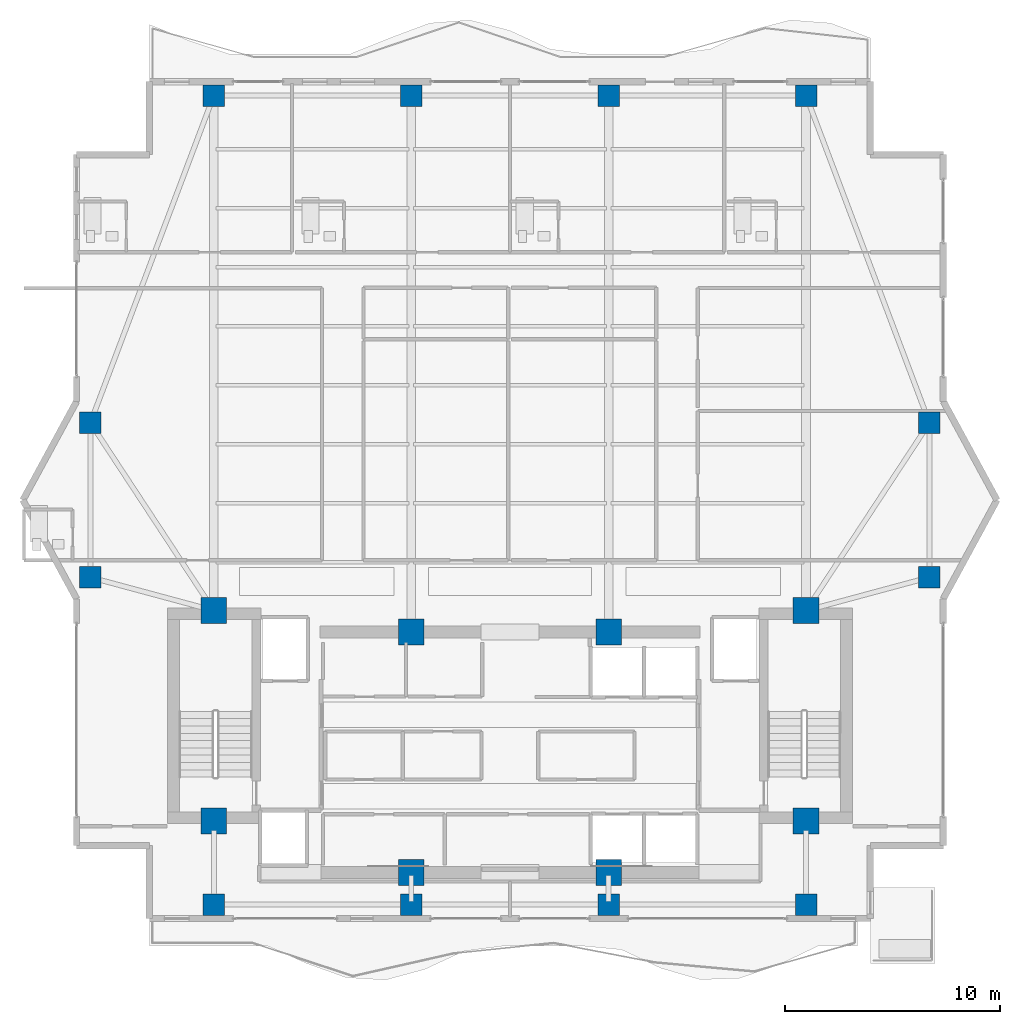
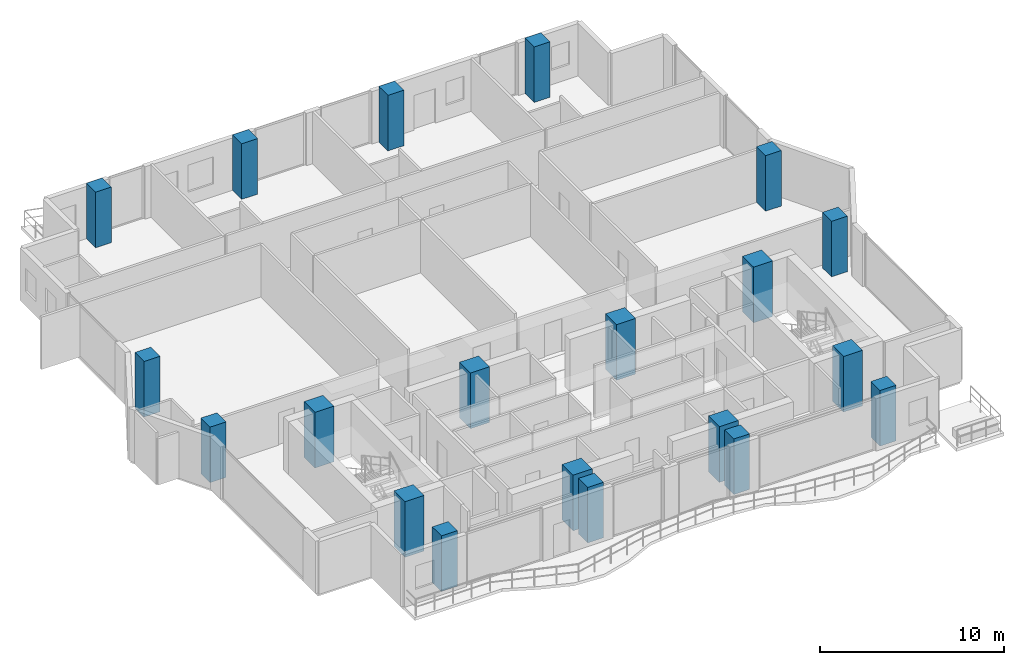
# One storey, part 1 of 25: 20 columns.
"""IFC4 building model written with IfcOpenShell, lengths in metres."""

from ifc_helpers import new_model, si_unit, direction, frame, origin, origin_2d, place, context, subcontext, project, spatial, rectangle, extrude, material, material_profile, profile_set, type_object, element, save


model = new_model("IFC4")

# Units and contexts
model_context = context("Model", 3, precision=1e-05, world=origin(), true_north=direction((0.0, 1.0)))
body_context = subcontext(model_context, "Body", "Model", "MODEL_VIEW")
ifc_project = project(units=[si_unit("LENGTHUNIT", "METRE"), si_unit("AREAUNIT", "SQUARE_METRE"), si_unit("VOLUMEUNIT", "CUBIC_METRE"), si_unit("PLANEANGLEUNIT", "RADIAN"), si_unit("MASSUNIT", "GRAM", prefix="KILO")], contexts=[model_context])

# Site, building, storey
site_placement = place(None, origin())
site = spatial("IfcSite", under=ifc_project, at=site_placement, CompositionType="ELEMENT")
building_placement = place(site_placement, origin())
building = spatial("IfcBuilding", under=site, at=building_placement, Name="Zuhayl Quay Hotel", CompositionType="ELEMENT")
storey_placement = place(building_placement, frame((0.0, 0.0, 250.75)))
storey = spatial("IfcBuildingStorey", under=building, at=storey_placement, Name="L63", CompositionType="ELEMENT", Elevation=250.75)

# Columns
ifc_material = material(Name="Concrete C60/75", Category="concrete")
ifc_material_profile_1 = material_profile(ifc_material, rectangle(XDim=1.199951171875, YDim=1.199951171875, at=origin_2d()), Name="RC1200X1200")
ifc_profile_set_1 = profile_set([ifc_material_profile_1], Name="Concrete C60/75")
column_type_1 = type_object("IfcColumnType", Name="CL_CC2_1200", PredefinedType="COLUMN", material=ifc_profile_set_1)
for number, where, z_axis, x_axis, name in (
    (1, (-13.800048828125, 14.35009765625, 0.0), (0.0, 0.0, 1.0), (1.0, 0.0, 0.0), "L63 Core Column CC_NW"),
    (2, (-4.60009765625, 13.35009765625, 0.0), (0.0, 0.0, 1.0), (1.0, 0.0, 0.0), "L63 Core Column CC_CNW"),
    (3, (4.60009765625, 13.35009765625, 0.0), (0.0, 0.0, 1.0), (1.0, 0.0, 0.0), "L63 Core Column CC_CNE"),
    (4, (13.800048828125, 14.35009765625, 0.0), (0.0, 0.0, 1.0), (1.0, 0.0, 0.0), "L63 Core Column CC_NE"),
    (5, (-13.800048828125, 4.550048828125, 0.0), (0.0, 0.0, 1.0), (1.0, 0.0, 0.0), "L63 Core Column CC_SW"),
    (6, (-4.60009765625, 2.14990234375, 0.0), (0.0, 0.0, 1.0), (1.0, 0.0, 0.0), "L63 Core Column CC_CSW"),
    (7, (4.60009765625, 2.14990234375, 0.0), (0.0, 0.0, 1.0), (1.0, 0.0, 0.0), "L63 Core Column CC_CSE"),
    (8, (13.800048828125, 4.550048828125, 0.0), (0.0, 0.0, 1.0), (1.0, 0.0, 0.0), "L63 Core Column CC_SE"),
):
    element("IfcColumn", number, at=place(storey_placement, frame(where, z_axis=z_axis, x_axis=x_axis)), inside=storey, type_object=column_type_1, Name=name, PredefinedType="COLUMN", context=body_context, shape_type="SweptSolid", body=[
        extrude(rectangle(XDim=1.199951171875, YDim=1.199951171875, at=origin_2d()), origin(), (0.0, 0.0, 1.0), 3.699951171875),
    ])
ifc_material_profile_2 = material_profile(ifc_material, rectangle(XDim=1.0, YDim=1.0, at=origin_2d()), Name="RC1000X1000")
ifc_profile_set_2 = profile_set([ifc_material_profile_2], Name="Concrete C60/75")
column_type_2 = type_object("IfcColumnType", Name="CL_MC4_1000", PredefinedType="COLUMN", material=ifc_profile_set_2)
for number, where, z_axis, x_axis, name in (
    (9, (-13.800048828125, 0.64990234375, 0.0), (0.0, 0.0, 1.0), (1.0, 0.0, 0.0), "L63 Mega-Column MC_S1"),
    (10, (-4.60009765625, 0.64990234375, 0.0), (0.0, 0.0, 1.0), (1.0, 0.0, 0.0), "L63 Mega-Column MC_S2"),
    (11, (4.60009765625, 0.64990234375, 0.0), (0.0, 0.0, 1.0), (1.0, 0.0, 0.0), "L63 Mega-Column MC_S3"),
    (12, (13.800048828125, 0.64990234375, 0.0), (0.0, 0.0, 1.0), (1.0, 0.0, 0.0), "L63 Mega-Column MC_S4"),
    (13, (-13.800048828125, 38.35009765625, 0.0), (0.0, 0.0, 1.0), (1.0, 0.0, 0.0), "L63 Mega-Column MC_N1"),
    (14, (-4.60009765625, 38.35009765625, 0.0), (0.0, 0.0, 1.0), (1.0, 0.0, 0.0), "L63 Mega-Column MC_N2"),
    (15, (4.60009765625, 38.35009765625, 0.0), (0.0, 0.0, 1.0), (1.0, 0.0, 0.0), "L63 Mega-Column MC_N3"),
    (16, (13.800048828125, 38.35009765625, 0.0), (0.0, 0.0, 1.0), (1.0, 0.0, 0.0), "L63 Mega-Column MC_N4"),
    (17, (-19.550048828125, 15.89990234375, 0.0), (0.0, 0.0, 1.0), (1.0, 0.0, 0.0), "L63 Mega-Column MC_W1"),
    (18, (-19.550048828125, 23.10009765625, 0.0), (0.0, 0.0, 1.0), (1.0, 0.0, 0.0), "L63 Mega-Column MC_W2"),
    (19, (19.550048828125, 15.89990234375, 0.0), (0.0, 0.0, 1.0), (1.0, 0.0, 0.0), "L63 Mega-Column MC_E1"),
    (20, (19.550048828125, 23.10009765625, 0.0), (0.0, 0.0, 1.0), (1.0, 0.0, 0.0), "L63 Mega-Column MC_E2"),
):
    element("IfcColumn", number, at=place(storey_placement, frame(where, z_axis=z_axis, x_axis=x_axis)), inside=storey, type_object=column_type_2, Name=name, PredefinedType="COLUMN", context=body_context, shape_type="SweptSolid", body=[
        extrude(rectangle(XDim=1.0, YDim=1.0, at=origin_2d()), origin(), (0.0, 0.0, 1.0), 3.699951171875),
    ])

save(model, "model.ifc")
